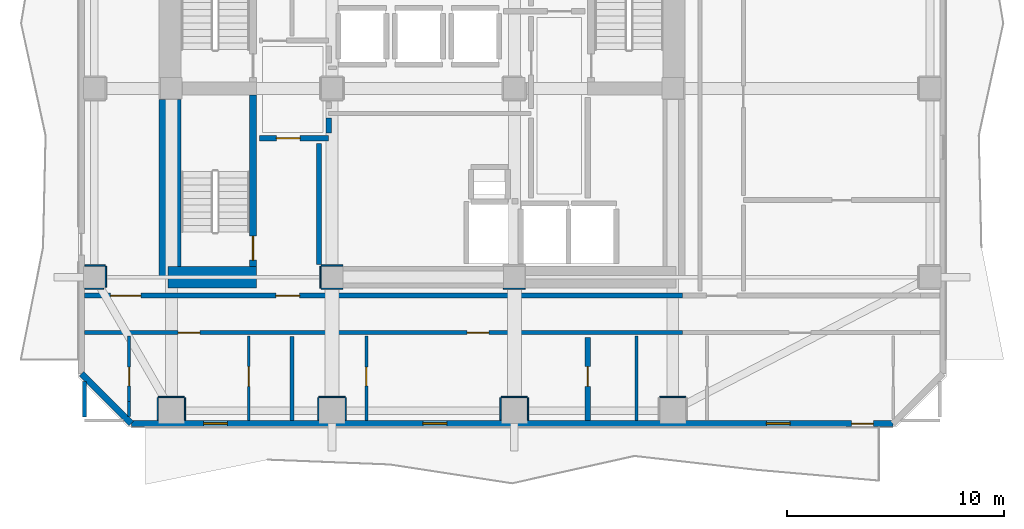
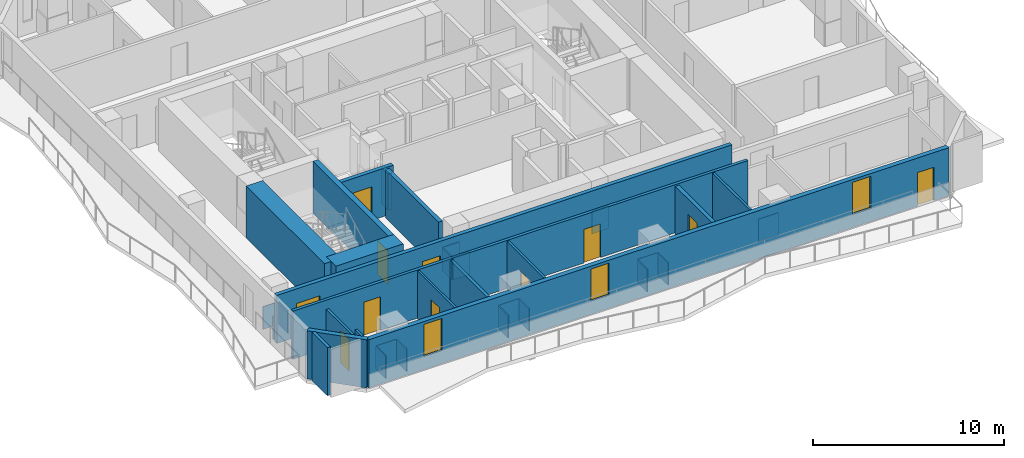
# One storey, part 2 of 9: 35 walls, 11 doors, 3 windows, 14 openings.
"""IFC4 building model written with IfcOpenShell, lengths in metres."""

from ifc_helpers import new_model, si_unit, direction, frame, frame_2d, origin, place, context, subcontext, project, spatial, rectangle, extrude, material, layer, layer_set, type_object, element, fill, save


model = new_model("IFC4")

# Units and contexts
model_context = context("Model", 3, precision=1e-05, world=origin(), true_north=direction((0.0, 1.0)))
body_context = subcontext(model_context, "Body", "Model", "MODEL_VIEW")
ifc_project = project(units=[si_unit("LENGTHUNIT", "METRE"), si_unit("AREAUNIT", "SQUARE_METRE"), si_unit("VOLUMEUNIT", "CUBIC_METRE"), si_unit("PLANEANGLEUNIT", "RADIAN"), si_unit("MASSUNIT", "GRAM", prefix="KILO")], contexts=[model_context])

# Site, building, storey
site_placement = place(None, origin())
site = spatial("IfcSite", under=ifc_project, at=site_placement, CompositionType="ELEMENT")
building_placement = place(site_placement, origin())
building = spatial("IfcBuilding", under=site, at=building_placement, Name="Solanera Arch Residences", CompositionType="ELEMENT")
storey_placement = place(building_placement, frame((0.0, 0.0, 155.8798828125)))
storey = spatial("IfcBuildingStorey", under=building, at=storey_placement, Name="L45", CompositionType="ELEMENT", Elevation=155.8798828125)

# Walls
ifc_material_1 = material(Name="Fire-Rated Gypsum Stud Partition", Category="gypsum")
ifc_layer_1 = layer(ifc_material_1, 0.06005859375)
ifc_layer_set_1 = layer_set([ifc_layer_1], Name="Fire-Rated Gypsum Stud Partition")
wall_type_1 = type_object("IfcWallType", Name="Column Acoustic Furring Wall 60", PredefinedType="PARTITIONING", material=ifc_layer_set_1)
for number, where, z_axis, x_axis, name in (
    (1, (20.300048828125, 21.468017578125, 0.0), (0.0, 0.0, 1.0), (1.0, 0.0, 0.0), "L45 Column Furring 1S"),
    (2, (20.300048828125, 22.531982421875, 0.0), (0.0, 0.0, 1.0), (1.0, 0.0, 0.0), "L45 Column Furring 1N"),
    (3, (20.26806640625, 21.5, 0.0), (0.0, 0.0, 1.0), (0.0, 1.0, 0.0), "L45 Column Furring 1W"),
    (4, (28.699951171875, 21.468017578125, 0.0), (0.0, 0.0, 1.0), (1.0, 0.0, 0.0), "L45 Column Furring 2S"),
):
    element("IfcWall", number, at=place(storey_placement, frame(where, z_axis=z_axis, x_axis=x_axis)), inside=storey, type_object=wall_type_1, Name=name, PredefinedType="PARTITIONING", context=body_context, shape_type="SweptSolid", body=[
        extrude(rectangle(XDim=1.0, YDim=0.06005859375, at=frame_2d((0.5, 0.0))), origin(), (0.0, 0.0, 1.0), 1.4501953125),
    ])
wall_1_placement = place(storey_placement, frame((12.800048828125, 16.48193359375, 0.0), z_axis=(0.0, 0.0, 1.0), x_axis=(1.0, 0.0, 0.0)))
element("IfcWall", 5, at=wall_1_placement, inside=storey, type_object=wall_type_1, Name="L45 Column Furring 9N", PredefinedType="PARTITIONING", context=body_context, shape_type="SweptSolid", body=[
    extrude(rectangle(XDim=1.199951171875, YDim=0.06005859375, at=frame_2d((0.60009765625, 0.0))), origin(), (0.0, 0.0, 1.0), 1.4501953125),
])
for number, where, z_axis, x_axis, name in (
    (6, (12.76806640625, 15.409912109375, 0.0), (0.0, 0.0, 1.0), (0.0, 1.0, 0.0), "L45 Column Furring 9W"),
    (7, (14.031982421875, 15.409912109375, 0.0), (0.0, 0.0, 1.0), (0.0, 1.0, 0.0), "L45 Column Furring 9E"),
):
    element("IfcWall", number, at=place(storey_placement, frame(where, z_axis=z_axis, x_axis=x_axis)), inside=storey, type_object=wall_type_1, Name=name, PredefinedType="PARTITIONING", context=body_context, shape_type="SweptSolid", body=[
        extrude(rectangle(XDim=1.0400390625, YDim=0.06005859375, at=frame_2d((0.52001953125, 0.0))), origin(), (0.0, 0.0, 1.0), 1.4501953125),
    ])
wall_2_placement = place(storey_placement, frame((20.199951171875, 16.48193359375, 0.0), z_axis=(0.0, 0.0, 1.0), x_axis=(1.0, 0.0, 0.0)))
element("IfcWall", 8, at=wall_2_placement, inside=storey, type_object=wall_type_1, Name="L45 Column Furring 11N", PredefinedType="PARTITIONING", context=body_context, shape_type="SweptSolid", body=[
    extrude(rectangle(XDim=1.199951171875, YDim=0.06005859375, at=frame_2d((0.60009765625, 0.0))), origin(), (0.0, 0.0, 1.0), 1.4501953125),
])
for number, where, z_axis, x_axis, name in (
    (9, (20.16796875, 15.409912109375, 0.0), (0.0, 0.0, 1.0), (0.0, 1.0, 0.0), "L45 Column Furring 11W"),
    (10, (21.431884765625, 15.409912109375, 0.0), (0.0, 0.0, 1.0), (0.0, 1.0, 0.0), "L45 Column Furring 11E"),
):
    element("IfcWall", number, at=place(storey_placement, frame(where, z_axis=z_axis, x_axis=x_axis)), inside=storey, type_object=wall_type_1, Name=name, PredefinedType="PARTITIONING", context=body_context, shape_type="SweptSolid", body=[
        extrude(rectangle(XDim=1.0400390625, YDim=0.06005859375, at=frame_2d((0.52001953125, 0.0))), origin(), (0.0, 0.0, 1.0), 1.4501953125),
    ])
wall_3_placement = place(storey_placement, frame((28.60009765625, 16.48193359375, 0.0), z_axis=(0.0, 0.0, 1.0), x_axis=(1.0, 0.0, 0.0)))
element("IfcWall", 11, at=wall_3_placement, inside=storey, type_object=wall_type_1, Name="L45 Column Furring 13N", PredefinedType="PARTITIONING", context=body_context, shape_type="SweptSolid", body=[
    extrude(rectangle(XDim=1.199951171875, YDim=0.06005859375, at=frame_2d((0.60009765625, 0.0))), origin(), (0.0, 0.0, 1.0), 1.4501953125),
])
for number, where, z_axis, x_axis, name in (
    (12, (28.568115234375, 15.409912109375, 0.0), (0.0, 0.0, 1.0), (0.0, 1.0, 0.0), "L45 Column Furring 13W"),
    (13, (29.83203125, 15.409912109375, 0.0), (0.0, 0.0, 1.0), (0.0, 1.0, 0.0), "L45 Column Furring 13E"),
):
    element("IfcWall", number, at=place(storey_placement, frame(where, z_axis=z_axis, x_axis=x_axis)), inside=storey, type_object=wall_type_1, Name=name, PredefinedType="PARTITIONING", context=body_context, shape_type="SweptSolid", body=[
        extrude(rectangle(XDim=1.0400390625, YDim=0.06005859375, at=frame_2d((0.52001953125, 0.0))), origin(), (0.0, 0.0, 1.0), 1.4501953125),
    ])
wall_4_placement = place(storey_placement, frame((35.89990234375, 16.48193359375, 0.0), z_axis=(0.0, 0.0, 1.0), x_axis=(1.0, 0.0, 0.0)))
element("IfcWall", 14, at=wall_4_placement, inside=storey, type_object=wall_type_1, Name="L45 Column Furring 15N", PredefinedType="PARTITIONING", context=body_context, shape_type="SweptSolid", body=[
    extrude(rectangle(XDim=1.2001953125, YDim=0.06005859375, at=frame_2d((0.60009765625, 0.0))), origin(), (0.0, 0.0, 1.0), 1.4501953125),
])
wall_5_placement = place(storey_placement, frame((9.409912109375, 21.468017578125, 0.0), z_axis=(0.0, 0.0, 1.0), x_axis=(1.0, 0.0, 0.0)))
element("IfcWall", 15, at=wall_5_placement, inside=storey, type_object=wall_type_1, Name="L45 Column Furring 17S", PredefinedType="PARTITIONING", context=body_context, shape_type="SweptSolid", body=[
    extrude(rectangle(XDim=0.87109375, YDim=0.06005859375, at=frame_2d((0.435546875, 0.0))), origin(), (0.0, 0.0, 1.0), 1.4501953125),
])
wall_6_placement = place(storey_placement, frame((9.409912109375, 22.531982421875, 0.0), z_axis=(0.0, 0.0, 1.0), x_axis=(1.0, 0.0, 0.0)))
element("IfcWall", 16, at=wall_6_placement, inside=storey, type_object=wall_type_1, Name="L45 Column Furring 17N", PredefinedType="PARTITIONING", context=body_context, shape_type="SweptSolid", body=[
    extrude(rectangle(XDim=0.940185546875, YDim=0.06005859375, at=frame_2d((0.47021484375, 0.0))), origin(), (0.0, 0.0, 1.0), 1.4501953125),
])
wall_7_placement = place(storey_placement, frame((10.382080078125, 21.5439453125, 0.0), z_axis=(0.0, 0.0, 1.0), x_axis=(0.0, 1.0, 0.0)))
element("IfcWall", 17, at=wall_7_placement, inside=storey, type_object=wall_type_1, Name="L45 Column Furring 17E", PredefinedType="PARTITIONING", context=body_context, shape_type="SweptSolid", body=[
    extrude(rectangle(XDim=0.9560546875, YDim=0.06005859375, at=frame_2d((0.47802734375, 0.0))), origin(), (0.0, 0.0, 1.0), 1.4501953125),
])
ifc_material_2 = material(Name="Concrete C55/67 (f'c = 60 MPa)", Category="concrete")
ifc_layer_2 = layer(ifc_material_2, 1.0)
ifc_layer_set_2 = layer_set([ifc_layer_2], Name="Concrete C55/67 (f'c = 60 MPa)")
wall_type_2 = type_object("IfcWallType", Name="Core Shear Wall CW-1000", PredefinedType="SHEAR", material=ifc_layer_set_2)
wall_8_placement = place(storey_placement, frame((13.340087890625, 22.0, 0.0), z_axis=(0.0, 0.0, 1.0), x_axis=(0.0, 1.0, 0.0)))
element("IfcWall", 18, at=wall_8_placement, inside=storey, type_object=wall_type_2, Name="L45 West Core South Shear Wall", PredefinedType="SHEAR", context=body_context, shape_type="SweptSolid", body=[
    extrude(rectangle(XDim=8.195068359375, YDim=1.0, at=frame_2d((4.09765625, 0.0))), origin(), (0.0, 0.0, 1.0), 3.320068359375),
])
wall_9_placement = place(storey_placement, frame((13.239990234375, 22.0, 0.0), z_axis=(0.0, 0.0, 1.0), x_axis=(1.0, 0.0, 0.0)))
element("IfcWall", 19, at=wall_9_placement, inside=storey, type_object=wall_type_2, Name="L45 South-West Core Shear Wall", PredefinedType="SHEAR", context=body_context, shape_type="SweptSolid", body=[
    extrude(rectangle(XDim=4.080078125, YDim=1.0, at=frame_2d((2.0400390625, 0.0))), origin(), (0.0, 0.0, 1.0), 3.320068359375),
])

# Wall, opening, door
ifc_material_3 = material(Name="Concrete C40/50 (f'c = 45 MPa)", Category="concrete")
ifc_layer_3 = layer(ifc_material_3, 0.320068359375)
ifc_layer_set_3 = layer_set([ifc_layer_3], Name="Concrete C40/50 (f'c = 45 MPa)")
wall_type_3 = type_object("IfcWallType", Name="Core Shear Wall CW-320", PredefinedType="SHEAR", material=ifc_layer_set_3)
wall_10_placement = place(storey_placement, frame((17.159912109375, 22.5, 0.0), z_axis=(0.0, 0.0, 1.0), x_axis=(0.0, 1.0, 0.0)))
wall_10 = element("IfcWall", 20, at=wall_10_placement, inside=storey, type_object=wall_type_3, Name="L45 Stair ST-T3 East Shear Wall", PredefinedType="SHEAR", context=body_context, shape_type="SweptSolid", body=[
    extrude(rectangle(XDim=7.89990234375, YDim=0.320068359375, at=frame_2d((3.949951171875, 0.0))), origin(), (0.0, 0.0, 1.0), 3.320068359375),
])
opening_1_placement = place(wall_10_placement, frame((0.2900390625, 0.0, 0.0)))
opening_1 = element("IfcOpeningElement", 21, at=opening_1_placement, cuts=wall_10, Name="Opening DF-01", PredefinedType="OPENING", context=body_context, shape_type="SweptSolid", body=[
    extrude(rectangle(XDim=1.10009765625, YDim=2.14990234375, at=frame_2d((0.550048828125, 1.074951171875))), frame((0.0, 0.169921875, 0.0), z_axis=(0.0, -1.0, 0.0), x_axis=(1.0, 0.0, 0.0)), (0.0, 0.0, 1.0), 0.3401),
])
ifc_material_4 = material(Name="Fire-Rated Architectural Hardwood", Category="wood")
door_type_1 = type_object("IfcDoorType", Name="Stair Exit Fire Door DF-01", OperationType="NOTDEFINED", PredefinedType="DOOR", material=ifc_material_4)
door_1_placement = place(opening_1_placement, origin())
door_1 = element("IfcDoor", 22, at=door_1_placement, inside=storey, type_object=door_type_1, Name="DR-L45-STAIR-ST-T3", OperationType="SINGLE_SWING_RIGHT", OverallHeight=2.14990234375, OverallWidth=1.10009765625, PredefinedType="DOOR", context=body_context, shape_type="SweptSolid", body=[
    extrude(rectangle(XDim=1.10009765625, YDim=2.14990234375, at=frame_2d((0.550048828125, 1.074951171875))), frame((0.0, 0.02490234375, 0.0), z_axis=(0.0, -1.0, 0.0), x_axis=(1.0, 0.0, 0.0)), (0.0, 0.0, 1.0), 0.050048828125),
])
fill(opening_1, door_1)

# Wall, openings, doors
ifc_material_5 = material(Name="Autoclaved Aerated Concrete Blockwork", Category="masonry")
ifc_layer_4 = layer(ifc_material_5, 0.179931640625)
ifc_layer_set_4 = layer_set([ifc_layer_4], Name="Autoclaved Aerated Concrete Blockwork")
wall_type_4 = type_object("IfcWallType", Name="Corridor Fire Partition 180", PredefinedType="PARTITIONING", material=ifc_layer_set_4)
wall_11_placement = place(storey_placement, frame((9.406982421875, 19.449951171875, 0.0), z_axis=(0.0, 0.0, 1.0), x_axis=(1.0, 0.0, 0.0)))
wall_11 = element("IfcWall", 23, at=wall_11_placement, inside=storey, type_object=wall_type_4, Name="L45 Interior Partition H7 1", PredefinedType="PARTITIONING", context=body_context, shape_type="SweptSolid", body=[
    extrude(rectangle(XDim=27.531982421875, YDim=0.179931640625, at=frame_2d((13.76611328125, 0.0))), origin(), (0.0, 0.0, 1.0), 3.080078125),
])
opening_2_placement = place(wall_11_placement, frame((4.302978515625, 0.0, 0.0)))
opening_2 = element("IfcOpeningElement", 24, at=opening_2_placement, cuts=wall_11, Name="Opening DI-01", PredefinedType="OPENING", context=body_context, shape_type="SweptSolid", body=[
    extrude(rectangle(XDim=1.0, YDim=2.14990234375, at=frame_2d((0.5, 1.074951171875))), frame((0.0, 0.10009765625, 0.0), z_axis=(0.0, -1.0, 0.0), x_axis=(1.0, 0.0, 0.0)), (0.0, 0.0, 1.0), 0.1999),
])
opening_3_placement = place(wall_11_placement, frame((17.617919921875, 0.0, 0.0)))
opening_3 = element("IfcOpeningElement", 25, at=opening_3_placement, cuts=wall_11, Name="Opening DI-01", PredefinedType="OPENING", context=body_context, shape_type="SweptSolid", body=[
    extrude(rectangle(XDim=1.0, YDim=2.14990234375, at=frame_2d((0.5, 1.074951171875))), frame((0.0, 0.10009765625, 0.0), z_axis=(0.0, -1.0, 0.0), x_axis=(1.0, 0.0, 0.0)), (0.0, 0.0, 1.0), 0.1999),
])
ifc_material_6 = material(Name="Fire-Rated Architectural Hardwood", Category="wood")
door_type_2 = type_object("IfcDoorType", Name="Unit Entrance Fire Door DI-01", OperationType="NOTDEFINED", PredefinedType="DOOR", material=ifc_material_6)
door_2_placement = place(opening_2_placement, origin())
door_2 = element("IfcDoor", 26, at=door_2_placement, inside=storey, type_object=door_type_2, Name="DR-L45-IN-016", OperationType="SINGLE_SWING_LEFT", OverallHeight=2.14990234375, OverallWidth=1.0, PredefinedType="DOOR", context=body_context, shape_type="SweptSolid", body=[
    extrude(rectangle(XDim=1.0, YDim=2.14990234375, at=frame_2d((0.5, 1.074951171875))), frame((0.0, 0.02490234375, 0.0), z_axis=(0.0, -1.0, 0.0), x_axis=(1.0, 0.0, 0.0)), (0.0, 0.0, 1.0), 0.050048828125),
])
fill(opening_2, door_2)
door_3_placement = place(opening_3_placement, origin())
door_3 = element("IfcDoor", 27, at=door_3_placement, inside=storey, type_object=door_type_2, Name="DR-L45-IN-019", OperationType="SINGLE_SWING_RIGHT", OverallHeight=2.14990234375, OverallWidth=1.0, PredefinedType="DOOR", context=body_context, shape_type="SweptSolid", body=[
    extrude(rectangle(XDim=1.0, YDim=2.14990234375, at=frame_2d((0.5, 1.074951171875))), frame((0.0, 0.02490234375, 0.0), z_axis=(0.0, -1.0, 0.0), x_axis=(1.0, 0.0, 0.0)), (0.0, 0.0, 1.0), 0.050048828125),
])
fill(opening_3, door_3)

# Walls
wall_12_placement = place(storey_placement, frame((9.39990234375, 15.568115234375, 0.0), z_axis=(0.0, 0.0, 1.0), x_axis=(0.0, 1.0, 0.0)))
element("IfcWall", 28, at=wall_12_placement, inside=storey, type_object=wall_type_4, Name="L45 Interior Partition V7 1", PredefinedType="PARTITIONING", context=body_context, shape_type="SweptSolid", body=[
    extrude(rectangle(XDim=1.626953125, YDim=0.179931640625, at=frame_2d((0.8134765625, 0.0))), origin(), (0.0, 0.0, 1.0), 3.080078125),
])
wall_13_placement = place(storey_placement, frame((18.949951171875, 15.406982421875, 0.0), z_axis=(0.0, 0.0, 1.0), x_axis=(0.0, 1.0, 0.0)))
element("IfcWall", 29, at=wall_13_placement, inside=storey, type_object=wall_type_4, Name="L45 Interior Partition V9", PredefinedType="PARTITIONING", context=body_context, shape_type="SweptSolid", body=[
    extrude(rectangle(XDim=3.85498046875, YDim=0.179931640625, at=frame_2d((1.927490234375, 0.0))), origin(), (0.0, 0.0, 1.0), 3.080078125),
])

# Wall, openings, door, windows
ifc_material_7 = material(Name="Precast Concrete C35/45", Category="concrete")
ifc_layer_5 = layer(ifc_material_7, 0.280029296875)
ifc_layer_set_5 = layer_set([ifc_layer_5], Name="Precast Concrete C35/45")
wall_type_5 = type_object("IfcWallType", Name="Exterior Wall Precast Masonry-Frame 280", PredefinedType="STANDARD", material=ifc_layer_set_5)
wall_14_placement = place(storey_placement, frame((46.64501953125, 15.2548828125, 0.0), z_axis=(0.0, 0.0, 1.0), x_axis=(-1.0, 0.0, 0.0)))
wall_14 = element("IfcWall", 30, at=wall_14_placement, inside=storey, type_object=wall_type_5, Name="L45 Tower Exterior Precast Masonry-Frame Wall S", PredefinedType="STANDARD", context=body_context, shape_type="SweptSolid", body=[
    extrude(rectangle(XDim=35.090087890625, YDim=0.280029296875, at=frame_2d((17.544921875, 0.0))), origin(), (0.0, 0.0, 1.0), 3.080078125),
])
opening_4_placement = place(wall_14_placement, frame((0.904052734375, 0.0, 0.0)))
opening_4 = element("IfcOpeningElement", 31, at=opening_4_placement, cuts=wall_14, Name="Opening DB-01", PredefinedType="OPENING", context=body_context, shape_type="SweptSolid", body=[
    extrude(rectangle(XDim=1.0, YDim=2.14990234375, at=frame_2d((0.5, 1.074951171875))), frame((0.0, 0.14990234375, 0.0), z_axis=(0.0, -1.0, 0.0), x_axis=(1.0, 0.0, 0.0)), (0.0, 0.0, 1.0), 0.3),
])
opening_5_placement = place(wall_14_placement, frame((30.659912109375, 0.0, 0.85009765625)))
opening_5 = element("IfcOpeningElement", 32, at=opening_5_placement, cuts=wall_14, Name="Opening W-11", PredefinedType="OPENING", context=body_context, shape_type="SweptSolid", body=[
    extrude(rectangle(XDim=1.10009765625, YDim=2.050048828125, at=frame_2d((0.550048828125, 1.02490234375))), frame((0.0, 0.14990234375, 0.0), z_axis=(0.0, -1.0, 0.0), x_axis=(1.0, 0.0, 0.0)), (0.0, 0.0, 1.0), 0.3),
])
opening_6_placement = place(wall_14_placement, frame((20.554931640625, 0.0, 0.85009765625)))
opening_6 = element("IfcOpeningElement", 33, at=opening_6_placement, cuts=wall_14, Name="Opening W-11", PredefinedType="OPENING", context=body_context, shape_type="SweptSolid", body=[
    extrude(rectangle(XDim=1.10009765625, YDim=2.050048828125, at=frame_2d((0.550048828125, 1.02490234375))), frame((0.0, 0.14990234375, 0.0), z_axis=(0.0, -1.0, 0.0), x_axis=(1.0, 0.0, 0.0)), (0.0, 0.0, 1.0), 0.3),
])
opening_7_placement = place(wall_14_placement, frame((4.73388671875, 0.0, 0.85009765625)))
opening_7 = element("IfcOpeningElement", 34, at=opening_7_placement, cuts=wall_14, Name="Opening W-11", PredefinedType="OPENING", context=body_context, shape_type="SweptSolid", body=[
    extrude(rectangle(XDim=1.10009765625, YDim=2.050048828125, at=frame_2d((0.550048828125, 1.02490234375))), frame((0.0, 0.14990234375, 0.0), z_axis=(0.0, -1.0, 0.0), x_axis=(1.0, 0.0, 0.0)), (0.0, 0.0, 1.0), 0.3),
])
ifc_material_8 = material(Name="Anodised Aluminium Alloy 6063-T6", Category="aluminium")
door_type_3 = type_object("IfcDoorType", Name="Glazed Balcony Swing Door DB-01", OperationType="NOTDEFINED", PredefinedType="DOOR", material=ifc_material_8)
door_4_placement = place(opening_4_placement, origin())
door_4 = element("IfcDoor", 35, at=door_4_placement, inside=storey, type_object=door_type_3, Name="DR-L45-OUT-01", OperationType="SINGLE_SWING_LEFT", OverallHeight=2.14990234375, OverallWidth=1.0, PredefinedType="DOOR", context=body_context, shape_type="SweptSolid", body=[
    extrude(rectangle(XDim=1.0, YDim=2.14990234375, at=frame_2d((0.5, 1.074951171875))), frame((0.0, 0.02490234375, 0.0), z_axis=(0.0, -1.0, 0.0), x_axis=(1.0, 0.0, 0.0)), (0.0, 0.0, 1.0), 0.050048828125),
])
fill(opening_4, door_4)
ifc_material_9 = material(Name="Double Glazed Low-E Laminated Glass", Category="glass")
window_type = type_object("IfcWindowType", Name="Punched Window W-11", PartitioningType="SINGLE_PANEL", PredefinedType="WINDOW", material=ifc_material_9)
window_1_placement = place(opening_5_placement, origin())
window_1 = element("IfcWindow", 36, at=window_1_placement, inside=storey, type_object=window_type, Name="L45 4501-LIV Punched Window", OverallHeight=2.050048828125, OverallWidth=1.10009765625, PartitioningType="SINGLE_PANEL", PredefinedType="WINDOW", context=body_context, shape_type="SweptSolid", body=[
    extrude(rectangle(XDim=1.10009765625, YDim=2.050048828125, at=frame_2d((0.550048828125, 1.02490234375))), frame((0.0, 0.030029296875, 0.0), z_axis=(0.0, -1.0, 0.0), x_axis=(1.0, 0.0, 0.0)), (0.0, 0.0, 1.0), 0.06005859375),
])
fill(opening_5, window_1)
window_2_placement = place(opening_6_placement, origin())
window_2 = element("IfcWindow", 37, at=window_2_placement, inside=storey, type_object=window_type, Name="L45 4502-LIV Punched Window", OverallHeight=2.050048828125, OverallWidth=1.10009765625, PartitioningType="SINGLE_PANEL", PredefinedType="WINDOW", context=body_context, shape_type="SweptSolid", body=[
    extrude(rectangle(XDim=1.10009765625, YDim=2.050048828125, at=frame_2d((0.550048828125, 1.02490234375))), frame((0.0, 0.030029296875, 0.0), z_axis=(0.0, -1.0, 0.0), x_axis=(1.0, 0.0, 0.0)), (0.0, 0.0, 1.0), 0.06005859375),
])
fill(opening_6, window_2)
window_3_placement = place(opening_7_placement, origin())
window_3 = element("IfcWindow", 38, at=window_3_placement, inside=storey, type_object=window_type, Name="L45 4503-LIV Punched Window", OverallHeight=2.050048828125, OverallWidth=1.10009765625, PartitioningType="SINGLE_PANEL", PredefinedType="WINDOW", context=body_context, shape_type="SweptSolid", body=[
    extrude(rectangle(XDim=1.10009765625, YDim=2.050048828125, at=frame_2d((0.550048828125, 1.02490234375))), frame((0.0, 0.030029296875, 0.0), z_axis=(0.0, -1.0, 0.0), x_axis=(1.0, 0.0, 0.0)), (0.0, 0.0, 1.0), 0.06005859375),
])
fill(opening_7, window_3)

# Wall
wall_15_placement = place(storey_placement, frame((11.554931640625, 15.2548828125, 0.0), z_axis=(0.0, 0.0, 1.0), x_axis=(-0.707106781187, 0.707106781187, 0.0)))
element("IfcWall", 39, at=wall_15_placement, inside=storey, type_object=wall_type_5, Name="L45 Tower Exterior Precast Masonry-Frame Wall CH7", PredefinedType="STANDARD", context=body_context, shape_type="SweptSolid", body=[
    extrude(rectangle(XDim=3.252685546875, YDim=0.280029296875, at=frame_2d((1.62646484375, 0.0))), origin(), (0.0, 0.0, 1.0), 3.080078125),
])

# Wall, openings, doors
ifc_material_10 = material(Name="Autoclaved Aerated Concrete Blockwork", Category="masonry")
ifc_layer_6 = layer(ifc_material_10, 0.239990234375)
ifc_layer_set_6 = layer_set([ifc_layer_6], Name="Autoclaved Aerated Concrete Blockwork")
wall_type_6 = type_object("IfcWallType", Name="Shaft Wall Fire-Rated 240", PredefinedType="PARTITIONING", material=ifc_layer_set_6)
wall_16_placement = place(storey_placement, frame((9.406982421875, 21.14990234375, 0.0), z_axis=(0.0, 0.0, 1.0), x_axis=(1.0, 0.0, 0.0)))
wall_16 = element("IfcWall", 40, at=wall_16_placement, inside=storey, type_object=wall_type_6, Name="L45 Interior Partition H1 1", PredefinedType="PARTITIONING", context=body_context, shape_type="SweptSolid", body=[
    extrude(rectangle(XDim=27.531982421875, YDim=0.239990234375, at=frame_2d((13.76611328125, 0.0))), origin(), (0.0, 0.0, 1.0), 3.080078125),
])
opening_8_placement = place(wall_16_placement, frame((8.802978515625, 0.0, 0.0)))
opening_8 = element("IfcOpeningElement", 41, at=opening_8_placement, cuts=wall_16, Name="Opening DF-02", PredefinedType="OPENING", context=body_context, shape_type="SweptSolid", body=[
    extrude(rectangle(XDim=1.10009765625, YDim=2.14990234375, at=frame_2d((0.550048828125, 1.074951171875))), frame((0.0, 0.1298828125, 0.0), z_axis=(0.0, -1.0, 0.0), x_axis=(1.0, 0.0, 0.0)), (0.0, 0.0, 1.0), 0.26),
])
opening_9_placement = place(wall_16_placement, frame((1.19189453125, 0.0, 0.0)))
opening_9 = element("IfcOpeningElement", 42, at=opening_9_placement, cuts=wall_16, Name="Opening DF-03", PredefinedType="OPENING", context=body_context, shape_type="SweptSolid", body=[
    extrude(rectangle(XDim=1.39990234375, YDim=2.14990234375, at=frame_2d((0.699951171875, 1.074951171875))), frame((0.0, 0.1298828125, 0.0), z_axis=(0.0, -1.0, 0.0), x_axis=(1.0, 0.0, 0.0)), (0.0, 0.0, 1.0), 0.26),
])
ifc_material_11 = material(Name="Fire-Rated Architectural Hardwood", Category="wood")
door_type_4 = type_object("IfcDoorType", Name="Corridor Smoke Door DF-03", OperationType="NOTDEFINED", PredefinedType="DOOR", material=ifc_material_11)
door_5_placement = place(opening_9_placement, origin())
door_5 = element("IfcDoor", 43, at=door_5_placement, inside=storey, type_object=door_type_4, Name="DR-L45-IN-010", OperationType="SINGLE_SWING_LEFT", OverallHeight=2.14990234375, OverallWidth=1.39990234375, PredefinedType="DOOR", context=body_context, shape_type="SweptSolid", body=[
    extrude(rectangle(XDim=1.39990234375, YDim=2.14990234375, at=frame_2d((0.699951171875, 1.074951171875))), frame((0.0, 0.02490234375, 0.0), z_axis=(0.0, -1.0, 0.0), x_axis=(1.0, 0.0, 0.0)), (0.0, 0.0, 1.0), 0.050048828125),
])
fill(opening_9, door_5)
ifc_material_12 = material(Name="Fire-Rated Architectural Hardwood", Category="wood")
door_type_5 = type_object("IfcDoorType", Name="Firefighting Lobby Fire Door DF-02", OperationType="NOTDEFINED", PredefinedType="DOOR", material=ifc_material_12)
door_6_placement = place(opening_8_placement, origin())
door_6 = element("IfcDoor", 44, at=door_6_placement, inside=storey, type_object=door_type_5, Name="DR-L45-IN-008", OperationType="SINGLE_SWING_LEFT", OverallHeight=2.14990234375, OverallWidth=1.10009765625, PredefinedType="DOOR", context=body_context, shape_type="SweptSolid", body=[
    extrude(rectangle(XDim=1.10009765625, YDim=2.14990234375, at=frame_2d((0.550048828125, 1.074951171875))), frame((0.0, 0.02490234375, 0.0), z_axis=(0.0, -1.0, 0.0), x_axis=(1.0, 0.0, 0.0)), (0.0, 0.0, 1.0), 0.050048828125),
])
fill(opening_8, door_6)

# Wall, opening, door
wall_17_placement = place(storey_placement, frame((17.449951171875, 28.39990234375, 0.0), z_axis=(0.0, 0.0, 1.0), x_axis=(1.0, 0.0, 0.0)))
wall_17 = element("IfcWall", 45, at=wall_17_placement, inside=storey, type_object=wall_type_6, Name="L45 Interior Partition H4", PredefinedType="PARTITIONING", context=body_context, shape_type="SweptSolid", body=[
    extrude(rectangle(XDim=3.199951171875, YDim=0.239990234375, at=frame_2d((1.60009765625, 0.0))), origin(), (0.0, 0.0, 1.0), 3.080078125),
])
opening_10_placement = place(wall_17_placement, frame((0.783935546875, 0.0, 0.0)))
opening_10 = element("IfcOpeningElement", 46, at=opening_10_placement, cuts=wall_17, Name="Opening DF-02", PredefinedType="OPENING", context=body_context, shape_type="SweptSolid", body=[
    extrude(rectangle(XDim=1.10009765625, YDim=2.14990234375, at=frame_2d((0.550048828125, 1.074951171875))), frame((0.0, 0.1298828125, 0.0), z_axis=(0.0, -1.0, 0.0), x_axis=(1.0, 0.0, 0.0)), (0.0, 0.0, 1.0), 0.26),
])
door_7_placement = place(opening_10_placement, origin())
door_7 = element("IfcDoor", 47, at=door_7_placement, inside=storey, type_object=door_type_5, Name="DR-L45-IN-004", OperationType="SINGLE_SWING_LEFT", OverallHeight=2.14990234375, OverallWidth=1.10009765625, PredefinedType="DOOR", context=body_context, shape_type="SweptSolid", body=[
    extrude(rectangle(XDim=1.10009765625, YDim=2.14990234375, at=frame_2d((0.550048828125, 1.074951171875))), frame((0.0, 0.02490234375, 0.0), z_axis=(0.0, -1.0, 0.0), x_axis=(1.0, 0.0, 0.0)), (0.0, 0.0, 1.0), 0.050048828125),
])
fill(opening_10, door_7)

# Walls
wall_18_placement = place(storey_placement, frame((20.199951171875, 22.5859375, 0.0), z_axis=(0.0, 0.0, 1.0), x_axis=(0.0, 1.0, 0.0)))
element("IfcWall", 48, at=wall_18_placement, inside=storey, type_object=wall_type_6, Name="L45 Interior Partition V2", PredefinedType="PARTITIONING", context=body_context, shape_type="SweptSolid", body=[
    extrude(rectangle(XDim=5.566162109375, YDim=0.239990234375, at=frame_2d((2.783203125, 0.0))), origin(), (0.0, 0.0, 1.0), 3.080078125),
])
wall_19_placement = place(storey_placement, frame((20.64990234375, 28.64794921875, 0.0), z_axis=(0.0, 0.0, 1.0), x_axis=(0.0, 1.0, 0.0)))
element("IfcWall", 49, at=wall_19_placement, inside=storey, type_object=wall_type_6, Name="L45 Interior Partition V3 1", PredefinedType="PARTITIONING", context=body_context, shape_type="SweptSolid", body=[
    extrude(rectangle(XDim=0.68408203125, YDim=0.239990234375, at=frame_2d((0.342041015625, 0.0))), origin(), (0.0, 0.0, 1.0), 2.315185546875),
])

# Wall, opening, door
wall_20_placement = place(storey_placement, frame((32.580078125, 15.406982421875, 0.0), z_axis=(0.0, 0.0, 1.0), x_axis=(0.0, 1.0, 0.0)))
wall_20 = element("IfcWall", 50, at=wall_20_placement, inside=storey, type_object=wall_type_6, Name="L45 Interior Partition V5", PredefinedType="PARTITIONING", context=body_context, shape_type="SweptSolid", body=[
    extrude(rectangle(XDim=3.824951171875, YDim=0.239990234375, at=frame_2d((1.91259765625, 0.0))), origin(), (0.0, 0.0, 1.0), 3.080078125),
])
opening_11_placement = place(wall_20_placement, frame((1.568115234375, 0.0, 0.0)))
opening_11 = element("IfcOpeningElement", 51, at=opening_11_placement, cuts=wall_20, Name="Opening DI-02", PredefinedType="OPENING", context=body_context, shape_type="SweptSolid", body=[
    extrude(rectangle(XDim=0.89990234375, YDim=2.10009765625, at=frame_2d((0.449951171875, 1.050048828125))), frame((0.0, 0.1298828125, 0.0), z_axis=(0.0, -1.0, 0.0), x_axis=(1.0, 0.0, 0.0)), (0.0, 0.0, 1.0), 0.26),
])
ifc_material_13 = material(Name="Fire-Rated Architectural Hardwood", Category="wood")
door_type_6 = type_object("IfcDoorType", Name="Suite Room Swing Door DI-02", OperationType="NOTDEFINED", PredefinedType="DOOR", material=ifc_material_13)
door_8_placement = place(opening_11_placement, origin())
door_8 = element("IfcDoor", 52, at=door_8_placement, inside=storey, type_object=door_type_6, Name="DR-L45-IN-021", OperationType="SINGLE_SWING_RIGHT", OverallHeight=2.10009765625, OverallWidth=0.89990234375, PredefinedType="DOOR", context=body_context, shape_type="SweptSolid", body=[
    extrude(rectangle(XDim=0.89990234375, YDim=2.10009765625, at=frame_2d((0.449951171875, 1.050048828125))), frame((0.0, 0.02490234375, 0.0), z_axis=(0.0, -1.0, 0.0), x_axis=(1.0, 0.0, 0.0)), (0.0, 0.0, 1.0), 0.050048828125),
])
fill(opening_11, door_8)

ifc_material_14 = material(Name="Fire-Rated Gypsum Stud Partition", Category="gypsum")
ifc_layer_7 = layer(ifc_material_14, 0.1201171875)
ifc_layer_set_7 = layer_set([ifc_layer_7], Name="Fire-Rated Gypsum Stud Partition")
wall_type_7 = type_object("IfcWallType", Name="Unit Drywall Partition 120", PredefinedType="PARTITIONING", material=ifc_layer_set_7)
wall_21_placement = place(storey_placement, frame((16.969970703125, 15.406982421875, 0.0), z_axis=(0.0, 0.0, 1.0), x_axis=(0.0, 1.0, 0.0)))
wall_21 = element("IfcWall", 53, at=wall_21_placement, inside=storey, type_object=wall_type_7, Name="L45 Interior Partition V23", PredefinedType="PARTITIONING", context=body_context, shape_type="SweptSolid", body=[
    extrude(rectangle(XDim=3.885009765625, YDim=0.1201171875, at=frame_2d((1.9423828125, 0.0))), origin(), (0.0, 0.0, 1.0), 3.080078125),
])
opening_12_placement = place(wall_21_placement, frame((1.568115234375, 0.0, 0.0)))
opening_12 = element("IfcOpeningElement", 54, at=opening_12_placement, cuts=wall_21, Name="Opening DI-02", PredefinedType="OPENING", context=body_context, shape_type="SweptSolid", body=[
    extrude(rectangle(XDim=0.89990234375, YDim=2.10009765625, at=frame_2d((0.449951171875, 1.050048828125))), frame((0.0, 0.070068359375, 0.0), z_axis=(0.0, -1.0, 0.0), x_axis=(1.0, 0.0, 0.0)), (0.0, 0.0, 1.0), 0.1401),
])
door_9_placement = place(opening_12_placement, origin())
door_9 = element("IfcDoor", 55, at=door_9_placement, inside=storey, type_object=door_type_6, Name="DR-L45-IN-018", OperationType="SINGLE_SWING_LEFT", OverallHeight=2.10009765625, OverallWidth=0.89990234375, PredefinedType="DOOR", context=body_context, shape_type="SweptSolid", body=[
    extrude(rectangle(XDim=0.89990234375, YDim=2.10009765625, at=frame_2d((0.449951171875, 1.050048828125))), frame((0.0, 0.02490234375, 0.0), z_axis=(0.0, -1.0, 0.0), x_axis=(1.0, 0.0, 0.0)), (0.0, 0.0, 1.0), 0.050048828125),
])
fill(opening_12, door_9)

# Wall
ifc_material_15 = material(Name="Autoclaved Aerated Concrete Blockwork", Category="masonry")
ifc_layer_8 = layer(ifc_material_15, 0.139892578125)
ifc_layer_set_8 = layer_set([ifc_layer_8], Name="Autoclaved Aerated Concrete Blockwork")
wall_type_8 = type_object("IfcWallType", Name="Wet-Room Partition 140", PredefinedType="PARTITIONING", material=ifc_layer_set_8)
wall_22_placement = place(storey_placement, frame((11.449951171875, 15.574951171875, 0.0), z_axis=(0.0, 0.0, 1.0), x_axis=(0.0, 1.0, 0.0)))
element("IfcWall", 56, at=wall_22_placement, inside=storey, type_object=wall_type_8, Name="L45 Interior Partition V15 1", PredefinedType="PARTITIONING", context=body_context, shape_type="SweptSolid", body=[
    extrude(rectangle(XDim=0.703125, YDim=0.139892578125, at=frame_2d((0.3515625, 0.0))), origin(), (0.0, 0.0, 1.0), 3.080078125),
])

# Wall, opening, door
wall_23_placement = place(storey_placement, frame((11.449951171875, 16.278076171875, 0.0), z_axis=(0.0, 0.0, 1.0), x_axis=(0.0, 1.0, 0.0)))
wall_23 = element("IfcWall", 57, at=wall_23_placement, inside=storey, type_object=wall_type_8, Name="L45 Interior Partition V15 2", PredefinedType="PARTITIONING", context=body_context, shape_type="SweptSolid", body=[
    extrude(rectangle(XDim=3.00390625, YDim=0.139892578125, at=frame_2d((1.501953125, 0.0))), origin(), (0.0, 0.0, 1.0), 2.565185546875),
])
opening_13_placement = place(wall_23_placement, frame((0.717041015625, 0.0, 0.0)))
opening_13 = element("IfcOpeningElement", 58, at=opening_13_placement, cuts=wall_23, Name="Opening DI-05", PredefinedType="OPENING", context=body_context, shape_type="SweptSolid", body=[
    extrude(rectangle(XDim=0.860107421875, YDim=2.02001953125, at=frame_2d((0.43017578125, 1.010009765625))), frame((0.0, 0.079833984375, 0.0), z_axis=(0.0, -1.0, 0.0), x_axis=(1.0, 0.0, 0.0)), (0.0, 0.0, 1.0), 0.1599),
])
ifc_material_16 = material(Name="Fire-Rated Architectural Hardwood", Category="wood")
door_type_7 = type_object("IfcDoorType", Name="Bathroom Swing Door DI-05", OperationType="NOTDEFINED", PredefinedType="DOOR", material=ifc_material_16)
door_10_placement = place(opening_13_placement, origin())
door_10 = element("IfcDoor", 59, at=door_10_placement, inside=storey, type_object=door_type_7, Name="DR-L45-IN-017", OperationType="SINGLE_SWING_RIGHT", OverallHeight=2.02001953125, OverallWidth=0.860107421875, PredefinedType="DOOR", context=body_context, shape_type="SweptSolid", body=[
    extrude(rectangle(XDim=0.860107421875, YDim=2.02001953125, at=frame_2d((0.43017578125, 1.010009765625))), frame((0.0, 0.02490234375, 0.0), z_axis=(0.0, -1.0, 0.0), x_axis=(1.0, 0.0, 0.0)), (0.0, 0.0, 1.0), 0.050048828125),
])
fill(opening_13, door_10)

wall_24_placement = place(storey_placement, frame((22.3798828125, 15.406982421875, 0.0), z_axis=(0.0, 0.0, 1.0), x_axis=(0.0, 1.0, 0.0)))
wall_24 = element("IfcWall", 60, at=wall_24_placement, inside=storey, type_object=wall_type_8, Name="L45 Interior Partition V17", PredefinedType="PARTITIONING", context=body_context, shape_type="SweptSolid", body=[
    extrude(rectangle(XDim=3.875, YDim=0.139892578125, at=frame_2d((1.9375, 0.0))), origin(), (0.0, 0.0, 1.0), 3.080078125),
])
opening_14_placement = place(wall_24_placement, frame((1.587890625, 0.0, 0.0)))
opening_14 = element("IfcOpeningElement", 61, at=opening_14_placement, cuts=wall_24, Name="Opening DI-05", PredefinedType="OPENING", context=body_context, shape_type="SweptSolid", body=[
    extrude(rectangle(XDim=0.860107421875, YDim=2.02001953125, at=frame_2d((0.43017578125, 1.010009765625))), frame((0.0, 0.079833984375, 0.0), z_axis=(0.0, -1.0, 0.0), x_axis=(1.0, 0.0, 0.0)), (0.0, 0.0, 1.0), 0.1599),
])
door_11_placement = place(opening_14_placement, origin())
door_11 = element("IfcDoor", 62, at=door_11_placement, inside=storey, type_object=door_type_7, Name="DR-L45-IN-020", OperationType="SINGLE_SWING_LEFT", OverallHeight=2.02001953125, OverallWidth=0.860107421875, PredefinedType="DOOR", context=body_context, shape_type="SweptSolid", body=[
    extrude(rectangle(XDim=0.860107421875, YDim=2.02001953125, at=frame_2d((0.43017578125, 1.010009765625))), frame((0.0, 0.02490234375, 0.0), z_axis=(0.0, -1.0, 0.0), x_axis=(1.0, 0.0, 0.0)), (0.0, 0.0, 1.0), 0.050048828125),
])
fill(opening_14, door_11)

# Wall
wall_25_placement = place(storey_placement, frame((34.820068359375, 15.406982421875, 0.0), z_axis=(0.0, 0.0, 1.0), x_axis=(0.0, 1.0, 0.0)))
element("IfcWall", 63, at=wall_25_placement, inside=storey, type_object=wall_type_8, Name="L45 Interior Partition V19", PredefinedType="PARTITIONING", context=body_context, shape_type="SweptSolid", body=[
    extrude(rectangle(XDim=3.875, YDim=0.139892578125, at=frame_2d((1.9375, 0.0))), origin(), (0.0, 0.0, 1.0), 3.080078125),
])

save(model, "model.ifc")
